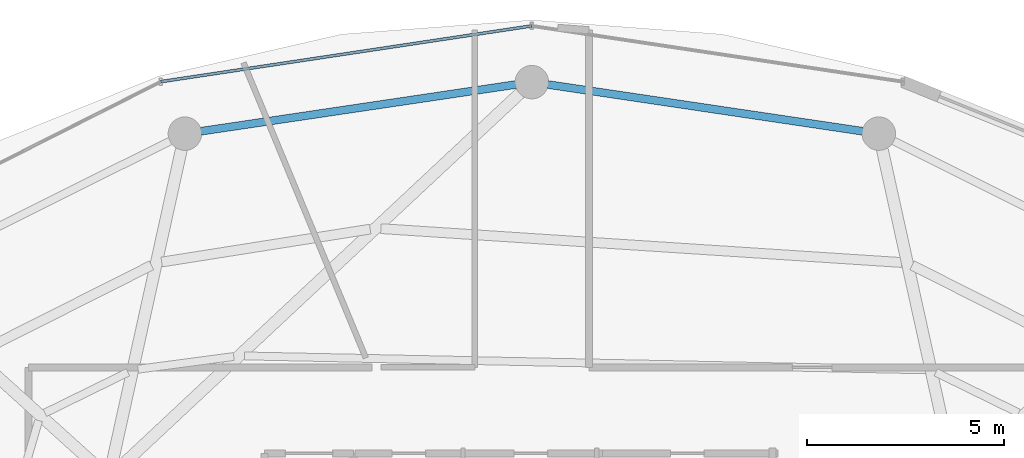
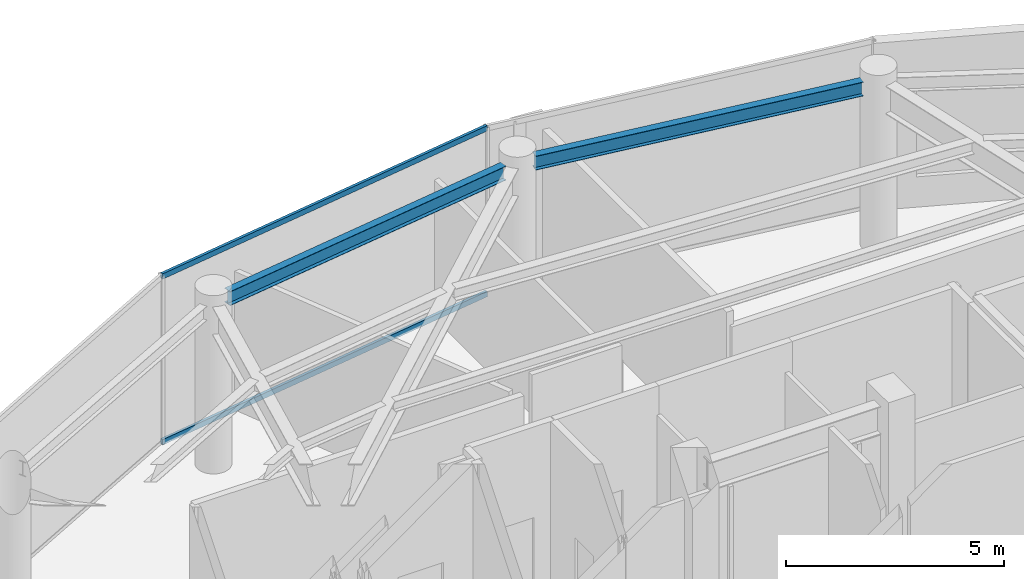
# One storey, part 17 of 24: 2 beams, 2 members, 1 element without a shape of its own.
"""IFC4 building model written with IfcOpenShell, lengths in metres."""

from ifc_helpers import new_model, si_unit, direction, frame, origin, origin_2d, place, context, subcontext, project, spatial, hollow_rectangle, i_section, extrude, material, material_profile, profile_set, type_object, element, aggregate, save


model = new_model("IFC4")

# Units and contexts
model_context = context("Model", 3, precision=1e-05, world=origin(), true_north=direction((0.0, 1.0)))
body_context = subcontext(model_context, "Body", "Model", "MODEL_VIEW")
ifc_project = project(units=[si_unit("LENGTHUNIT", "METRE"), si_unit("AREAUNIT", "SQUARE_METRE"), si_unit("VOLUMEUNIT", "CUBIC_METRE"), si_unit("PLANEANGLEUNIT", "RADIAN"), si_unit("MASSUNIT", "GRAM", prefix="KILO")], contexts=[model_context])

# Site, building, storey
site_placement = place(None, origin())
site = spatial("IfcSite", under=ifc_project, at=site_placement, CompositionType="ELEMENT")
building_placement = place(site_placement, origin())
building = spatial("IfcBuilding", under=site, at=building_placement, Name="Vorneva Point Tower", CompositionType="ELEMENT")
storey_placement = place(building_placement, frame((0.0, 0.0, 285.39990234375)))
storey = spatial("IfcBuildingStorey", under=building, at=storey_placement, Name="L77", CompositionType="ELEMENT", Elevation=285.39990234375)

# Beams
ifc_material_1 = material(Name="Steel S355", Category="steel")
ifc_material_profile_1 = material_profile(ifc_material_1, i_section(OverallWidth=0.198974609375, OverallDepth=0.39599609375, WebThickness=0.007080078125, FlangeThickness=0.010986328125, at=origin_2d()), Name="40B1")
ifc_profile_set_1 = profile_set([ifc_material_profile_1], Name="Steel S355")
beam_type = type_object("IfcBeamType", Name="BM-SPN-40B1", PredefinedType="SPANDREL", material=ifc_profile_set_1)
for number, where, z_axis, x_axis, name in (
    (1, (46.415283203125, 41.950927734375, 4.4921875), (-0.989161657331, 0.146830567886, 0.0), (-0.146830567886, -0.989161657331, 0.0), "L77 Perimeter Spandrel Ring Beam 04"),
    (2, (37.594482421875, 43.139892578125, 4.4921875), (-0.989161657331, -0.146830567886, 0.0), (0.146830567886, -0.989161657331, 0.0), "L77 Perimeter Spandrel Ring Beam 05"),
):
    element("IfcBeam", number, at=place(storey_placement, frame(where, z_axis=z_axis, x_axis=x_axis)), inside=storey, type_object=beam_type, Name=name, PredefinedType="SPANDREL", context=body_context, shape_type="SweptSolid", body=[
        extrude(i_section(OverallWidth=0.198974609375, OverallDepth=0.39599609375, WebThickness=0.007080078125, FlangeThickness=0.010986328125, at=origin_2d()), origin(), (0.0, 0.0, 1.0), 8.097412109375),
    ])

# Curtain wall, members
ifc_material_2 = material(Name="Pale anodised aluminium", Category="aluminium")
curtain_wall_type = type_object("IfcCurtainWallType", Name="CW-OBS-SYS", PredefinedType="NOTDEFINED", material=ifc_material_2)
curtain_wall_placement = place(storey_placement, origin())
curtain_wall = element("IfcCurtainWall", 3, at=curtain_wall_placement, inside=storey, type_object=curtain_wall_type, Name="L77 Unitised Curtain Wall CW-L77-R02", PredefinedType="NOTDEFINED")
ifc_material_profile_2 = material_profile(ifc_material_2, hollow_rectangle(XDim=0.074951171875, YDim=0.14990234375, WallThickness=0.00390625, at=origin_2d()), Name="AL-TRN 150x75x4")
ifc_profile_set_2 = profile_set([ifc_material_profile_2], Name="Pale anodised aluminium")
member_type = type_object("IfcMemberType", Name="CW-TRN-150", PredefinedType="USERDEFINED", material=ifc_profile_set_2)
member_1_placement = place(storey_placement, frame((38.0, 44.6298828125, 0.02001953125), z_axis=(-0.988890123612, -0.148648321288, 0.0), x_axis=(0.148648321288, -0.988890123612, 0.0)))
member_1 = element("IfcMember", 4, at=member_1_placement, type_object=member_type, Name="CW-L77-R02 Transom 02.1", ObjectType="TRANSOM", PredefinedType="USERDEFINED", context=body_context, shape_type="SweptSolid", body=[
    extrude(hollow_rectangle(XDim=0.074951171875, YDim=0.14990234375, WallThickness=0.00390625, at=origin_2d()), origin(), (0.0, 0.0, 1.0), 9.5390625),
])
member_2_placement = place(storey_placement, frame((38.0, 44.6298828125, 4.670166015625), z_axis=(-0.988890123612, -0.148648321288, 0.0), x_axis=(0.148648321288, -0.988890123612, 0.0)))
member_2 = element("IfcMember", 5, at=member_2_placement, type_object=member_type, Name="CW-L77-R02 Transom 02.2", ObjectType="TRANSOM", PredefinedType="USERDEFINED", context=body_context, shape_type="SweptSolid", body=[
    extrude(hollow_rectangle(XDim=0.074951171875, YDim=0.14990234375, WallThickness=0.00390625, at=origin_2d()), origin(), (0.0, 0.0, 1.0), 9.5390625),
])
aggregate(curtain_wall, [member_1, member_2])

save(model, "model.ifc")
